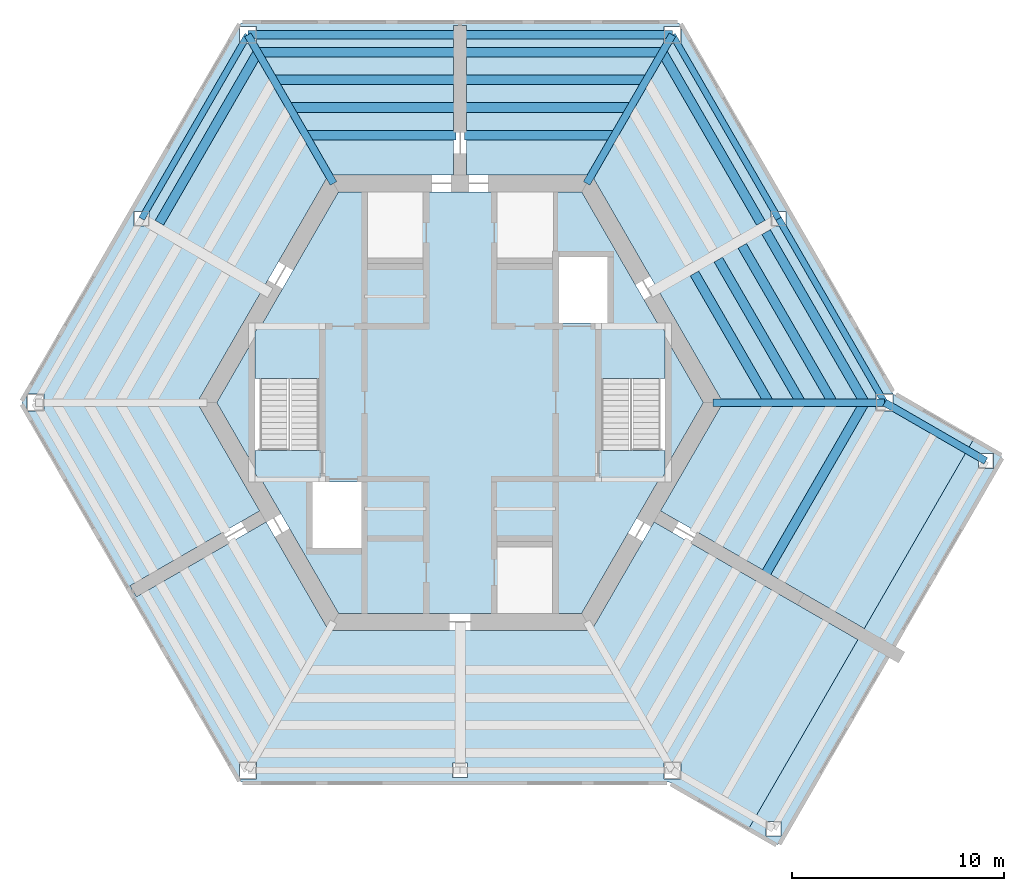
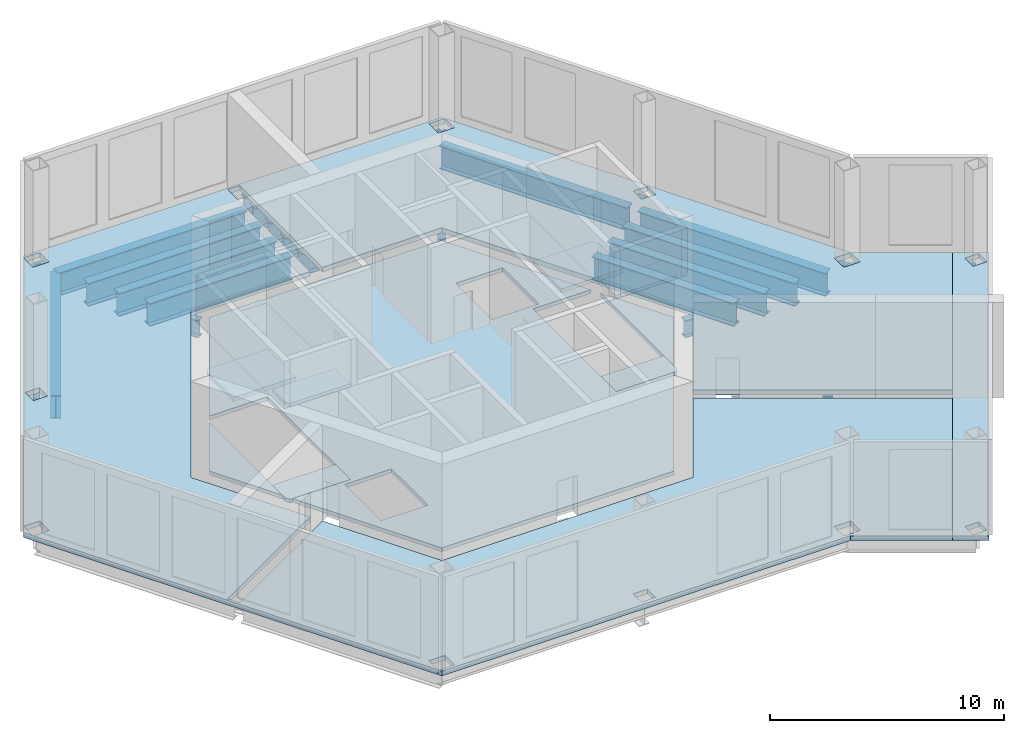
# One storey, part 2 of 8: 24 beams, 11 slabs, 2 elements without a shape of their own.
"""IFC4 building model written with IfcOpenShell, lengths in metres."""

from ifc_helpers import new_model, si_unit, direction, frame, origin, origin_2d, place, context, subcontext, project, spatial, polyline, i_section, outline, extrude, material, layer, layer_set, material_profile, profile_set, type_object, element, aggregate, save


model = new_model("IFC4")

# Units and contexts
model_context = context("Model", 3, precision=1e-05, world=origin(), true_north=direction((0.0, 1.0)))
body_context = subcontext(model_context, "Body", "Model", "MODEL_VIEW")
ifc_project = project(units=[si_unit("LENGTHUNIT", "METRE"), si_unit("AREAUNIT", "SQUARE_METRE"), si_unit("VOLUMEUNIT", "CUBIC_METRE"), si_unit("PLANEANGLEUNIT", "RADIAN"), si_unit("MASSUNIT", "GRAM", prefix="KILO")], contexts=[model_context])

# Site, building, storey
site_placement = place(None, origin())
site = spatial("IfcSite", under=ifc_project, at=site_placement, CompositionType="ELEMENT")
building_placement = place(site_placement, origin())
building = spatial("IfcBuilding", under=site, at=building_placement, Name="Kasaneha Research Tower", CompositionType="ELEMENT")
storey_placement = place(building_placement, frame((0.0, 0.0, 302.5)))
storey = spatial("IfcBuildingStorey", under=building, at=storey_placement, Name="L76", CompositionType="ELEMENT", Elevation=302.5)

# Beams
ifc_material_1 = material(Name="Steel SN490B", Category="steel")
ifc_material_profile_1 = material_profile(ifc_material_1, i_section(OverallWidth=0.449951171875, OverallDepth=1.199951171875, WebThickness=0.02197265625, FlangeThickness=0.0400390625, at=origin_2d()), Name="BH-1200x450x22x40")
ifc_profile_set_1 = profile_set([ifc_material_profile_1], Name="Steel SN490B")
beam_type_1 = type_object("IfcBeamType", Name="B1-5 secondary beam BH-1200x450x22x40", PredefinedType="JOIST", material=ifc_profile_set_1)
beam_1_placement = place(storey_placement, frame((14.54931640625, 0.0, -0.85009765625), z_axis=(-0.500015274395, 0.866016584929, 0.0), x_axis=(-0.866016584929, -0.500015274395, 0.0)))
element("IfcBeam", 1, at=beam_1_placement, inside=storey, type_object=beam_type_1, Name="Secondary beam RS030L1 L76", PredefinedType="JOIST", context=body_context, shape_type="SweptSolid", body=[
    extrude(i_section(OverallWidth=0.449951171875, OverallDepth=1.199951171875, WebThickness=0.02197265625, FlangeThickness=0.0400390625, at=origin_2d()), origin(), (0.0, 0.0, 1.0), 7.024658203125),
])
beam_2_placement = place(storey_placement, frame((16.05029296875, 0.0, -0.85009765625), z_axis=(-0.499992453835, 0.866029760521, 0.0), x_axis=(-0.866029760521, -0.499992453835, 0.0)))
element("IfcBeam", 2, at=beam_2_placement, inside=storey, type_object=beam_type_1, Name="Secondary beam RS030L2 L76", PredefinedType="JOIST", context=body_context, shape_type="SweptSolid", body=[
    extrude(i_section(OverallWidth=0.449951171875, OverallDepth=1.199951171875, WebThickness=0.02197265625, FlangeThickness=0.0400390625, at=origin_2d()), origin(), (0.0, 0.0, 1.0), 7.77490234375),
])
beam_3_placement = place(storey_placement, frame((17.551513671875, 0.0, -0.85009765625), z_axis=(-0.500004205306, 0.866022975836, 0.0), x_axis=(-0.866022975836, -0.500004205306, 0.0)))
element("IfcBeam", 3, at=beam_3_placement, inside=storey, type_object=beam_type_1, Name="Secondary beam RS030L3 L76", PredefinedType="JOIST", context=body_context, shape_type="SweptSolid", body=[
    extrude(i_section(OverallWidth=0.449951171875, OverallDepth=1.199951171875, WebThickness=0.02197265625, FlangeThickness=0.0400390625, at=origin_2d()), origin(), (0.0, 0.0, 1.0), 8.52587890625),
])
beam_4_placement = place(storey_placement, frame((19.052490234375, 0.0, -0.85009765625), z_axis=(-0.500005712346, 0.866022105735, 0.0), x_axis=(-0.866022105735, -0.500005712346, 0.0)))
element("IfcBeam", 4, at=beam_4_placement, inside=storey, type_object=beam_type_1, Name="Secondary beam RS030L4 L76", PredefinedType="JOIST", context=body_context, shape_type="SweptSolid", body=[
    extrude(i_section(OverallWidth=0.449951171875, OverallDepth=1.199951171875, WebThickness=0.02197265625, FlangeThickness=0.0400390625, at=origin_2d()), origin(), (0.0, 0.0, 1.0), 9.2763671875),
])
beam_5_placement = place(storey_placement, frame((9.5263671875, 16.5, -0.85009765625), z_axis=(0.499985972961, -0.866033502147, 0.0), x_axis=(0.866033502147, 0.499985972961, 0.0)))
element("IfcBeam", 5, at=beam_5_placement, inside=storey, type_object=beam_type_1, Name="Secondary beam RS030R4 L76", PredefinedType="JOIST", context=body_context, shape_type="SweptSolid", body=[
    extrude(i_section(OverallWidth=0.449951171875, OverallDepth=1.199951171875, WebThickness=0.02197265625, FlangeThickness=0.0400390625, at=origin_2d()), origin(), (0.0, 0.0, 1.0), 9.276123046875),
])
beam_6_placement = place(storey_placement, frame((7.274658203125, 12.60009765625, -0.85009765625), z_axis=(-1.0, 0.0, 0.0), x_axis=(0.0, -1.0, 0.0)))
element("IfcBeam", 6, at=beam_6_placement, inside=storey, type_object=beam_type_1, Name="Secondary beam RS090L1 L76", PredefinedType="JOIST", context=body_context, shape_type="SweptSolid", body=[
    extrude(i_section(OverallWidth=0.449951171875, OverallDepth=1.199951171875, WebThickness=0.02197265625, FlangeThickness=0.0400390625, at=origin_2d()), origin(), (0.0, 0.0, 1.0), 7.07470703125),
])
beam_7_placement = place(storey_placement, frame((8.025146484375, 13.89990234375, -0.85009765625), z_axis=(-1.0, 0.0, 0.0), x_axis=(0.0, -1.0, 0.0)))
element("IfcBeam", 7, at=beam_7_placement, inside=storey, type_object=beam_type_1, Name="Secondary beam RS090L2 L76", PredefinedType="JOIST", context=body_context, shape_type="SweptSolid", body=[
    extrude(i_section(OverallWidth=0.449951171875, OverallDepth=1.199951171875, WebThickness=0.02197265625, FlangeThickness=0.0400390625, at=origin_2d()), origin(), (0.0, 0.0, 1.0), 7.8251953125),
])
beam_8_placement = place(storey_placement, frame((8.775634765625, 15.199951171875, -0.85009765625), z_axis=(-1.0, 0.0, 0.0), x_axis=(0.0, -1.0, 0.0)))
element("IfcBeam", 8, at=beam_8_placement, inside=storey, type_object=beam_type_1, Name="Secondary beam RS090L3 L76", PredefinedType="JOIST", context=body_context, shape_type="SweptSolid", body=[
    extrude(i_section(OverallWidth=0.449951171875, OverallDepth=1.199951171875, WebThickness=0.02197265625, FlangeThickness=0.0400390625, at=origin_2d()), origin(), (0.0, 0.0, 1.0), 8.57568359375),
])
beam_9_placement = place(storey_placement, frame((9.5263671875, 16.5, -0.85009765625), z_axis=(-1.0, 0.0, 0.0), x_axis=(0.0, -1.0, 0.0)))
element("IfcBeam", 9, at=beam_9_placement, inside=storey, type_object=beam_type_1, Name="Secondary beam RS090L4 L76", PredefinedType="JOIST", context=body_context, shape_type="SweptSolid", body=[
    extrude(i_section(OverallWidth=0.449951171875, OverallDepth=1.199951171875, WebThickness=0.02197265625, FlangeThickness=0.0400390625, at=origin_2d()), origin(), (0.0, 0.0, 1.0), 9.326416015625),
])
beam_10_placement = place(storey_placement, frame((-7.274658203125, 12.60009765625, -0.85009765625), z_axis=(1.0, 0.0, 0.0), x_axis=(0.0, 1.0, 0.0)))
element("IfcBeam", 10, at=beam_10_placement, inside=storey, type_object=beam_type_1, Name="Secondary beam RS090R1 L76", PredefinedType="JOIST", context=body_context, shape_type="SweptSolid", body=[
    extrude(i_section(OverallWidth=0.449951171875, OverallDepth=1.199951171875, WebThickness=0.02197265625, FlangeThickness=0.0400390625, at=origin_2d()), origin(), (0.0, 0.0, 1.0), 7.07470703125),
])
beam_11_placement = place(storey_placement, frame((-8.025146484375, 13.89990234375, -0.85009765625), z_axis=(1.0, 0.0, 0.0), x_axis=(0.0, 1.0, 0.0)))
element("IfcBeam", 11, at=beam_11_placement, inside=storey, type_object=beam_type_1, Name="Secondary beam RS090R2 L76", PredefinedType="JOIST", context=body_context, shape_type="SweptSolid", body=[
    extrude(i_section(OverallWidth=0.449951171875, OverallDepth=1.199951171875, WebThickness=0.02197265625, FlangeThickness=0.0400390625, at=origin_2d()), origin(), (0.0, 0.0, 1.0), 7.8251953125),
])
beam_12_placement = place(storey_placement, frame((-8.775634765625, 15.199951171875, -0.85009765625), z_axis=(1.0, 0.0, 0.0), x_axis=(0.0, 1.0, 0.0)))
element("IfcBeam", 12, at=beam_12_placement, inside=storey, type_object=beam_type_1, Name="Secondary beam RS090R3 L76", PredefinedType="JOIST", context=body_context, shape_type="SweptSolid", body=[
    extrude(i_section(OverallWidth=0.449951171875, OverallDepth=1.199951171875, WebThickness=0.02197265625, FlangeThickness=0.0400390625, at=origin_2d()), origin(), (0.0, 0.0, 1.0), 8.57568359375),
])
beam_13_placement = place(storey_placement, frame((-9.5263671875, 16.5, -0.85009765625), z_axis=(1.0, 0.0, 0.0), x_axis=(0.0, 1.0, 0.0)))
element("IfcBeam", 13, at=beam_13_placement, inside=storey, type_object=beam_type_1, Name="Secondary beam RS090R4 L76", PredefinedType="JOIST", context=body_context, shape_type="SweptSolid", body=[
    extrude(i_section(OverallWidth=0.449951171875, OverallDepth=1.199951171875, WebThickness=0.02197265625, FlangeThickness=0.0400390625, at=origin_2d()), origin(), (0.0, 0.0, 1.0), 9.326416015625),
])
beam_14_placement = place(storey_placement, frame((-9.5263671875, 16.5, -0.85009765625), z_axis=(-0.499985972961, -0.866033502147, 0.0), x_axis=(0.866033502147, -0.499985972961, 0.0)))
element("IfcBeam", 14, at=beam_14_placement, inside=storey, type_object=beam_type_1, Name="Secondary beam RS150L4 L76", PredefinedType="JOIST", context=body_context, shape_type="SweptSolid", body=[
    extrude(i_section(OverallWidth=0.449951171875, OverallDepth=1.199951171875, WebThickness=0.02197265625, FlangeThickness=0.0400390625, at=origin_2d()), origin(), (0.0, 0.0, 1.0), 9.276123046875),
])
beam_15_placement = place(storey_placement, frame((19.052490234375, 0.0, -0.85009765625), z_axis=(-0.499990596569, -0.86603083279, 0.0), x_axis=(0.86603083279, -0.499990596569, 0.0)))
element("IfcBeam", 15, at=beam_15_placement, inside=storey, type_object=beam_type_1, Name="Secondary beam RS330R4 L76", PredefinedType="JOIST", context=body_context, shape_type="SweptSolid", body=[
    extrude(i_section(OverallWidth=0.449951171875, OverallDepth=1.199951171875, WebThickness=0.02197265625, FlangeThickness=0.0400390625, at=origin_2d()), origin(), (0.0, 0.0, 1.0), 9.326416015625),
])
ifc_material_2 = material(Name="Steel SN490B", Category="steel")
ifc_material_profile_2 = material_profile(ifc_material_2, i_section(OverallWidth=0.35009765625, OverallDepth=0.89990234375, WebThickness=0.01611328125, FlangeThickness=0.031982421875, at=origin_2d()), Name="BH-900x350x16x32")
ifc_profile_set_2 = profile_set([ifc_material_profile_2], Name="Steel SN490B")
beam_type_2 = type_object("IfcBeamType", Name="G1-5 radial girder BH-900x350x16x32", PredefinedType="BEAM", material=ifc_profile_set_2)
beam_16_placement = place(storey_placement, frame((11.92236328125, 0.0, -0.699951171875), z_axis=(1.0, 0.0, 0.0), x_axis=(0.0, 1.0, 0.0)))
element("IfcBeam", 16, at=beam_16_placement, inside=storey, type_object=beam_type_2, Name="Radial girder RV000 L76", PredefinedType="BEAM", context=body_context, shape_type="SweptSolid", body=[
    extrude(i_section(OverallWidth=0.35009765625, OverallDepth=0.89990234375, WebThickness=0.01611328125, FlangeThickness=0.031982421875, at=origin_2d()), origin(), (0.0, 0.0, 1.0), 8.07763671875),
])
for number, where, z_axis, x_axis, name in (
    (17, (5.961181640625, 10.324951171875, -0.699951171875), (0.49999105496, 0.866030568144, 0.0), (-0.866030568144, 0.49999105496, 0.0), "Radial girder RV060 L76"),
    (18, (-5.961181640625, 10.324951171875, -0.699951171875), (-0.49999105496, 0.866030568144, 0.0), (-0.866030568144, -0.49999105496, 0.0), "Radial girder RV120 L76"),
):
    element("IfcBeam", number, at=place(storey_placement, frame(where, z_axis=z_axis, x_axis=x_axis)), inside=storey, type_object=beam_type_2, Name=name, PredefinedType="BEAM", context=body_context, shape_type="SweptSolid", body=[
        extrude(i_section(OverallWidth=0.35009765625, OverallDepth=0.89990234375, WebThickness=0.01611328125, FlangeThickness=0.031982421875, at=origin_2d()), origin(), (0.0, 0.0, 1.0), 8.077880859375),
    ])
ifc_material_3 = material(Name="Steel SN490B", Category="steel")
ifc_material_profile_3 = material_profile(ifc_material_3, i_section(OverallWidth=0.39990234375, OverallDepth=1.0, WebThickness=0.01904296875, FlangeThickness=0.035888671875, at=origin_2d()), Name="BH-1000x400x19x36")
ifc_profile_set_3 = profile_set([ifc_material_profile_3], Name="Steel SN490B")
beam_type_3 = type_object("IfcBeamType", Name="G3-5 plate edge girder BH-1000x400x19x36", PredefinedType="BEAM", material=ifc_profile_set_3)
for number, where, z_axis, x_axis, name in (
    (19, (10.0, 17.320556640625, -0.75), (-1.0, 0.0, 0.0), (0.0, -1.0, 0.0), "Plate edge girder PEAP L76"),
    (20, (-10.0, 17.320556640625, -0.75), (1.0, 0.0, 0.0), (0.0, 1.0, 0.0), "Plate edge girder PEAN L76"),
):
    element("IfcBeam", number, at=place(storey_placement, frame(where, z_axis=z_axis, x_axis=x_axis)), inside=storey, type_object=beam_type_3, Name=name, PredefinedType="BEAM", context=body_context, shape_type="SweptSolid", body=[
        extrude(i_section(OverallWidth=0.39990234375, OverallDepth=1.0, WebThickness=0.01904296875, FlangeThickness=0.035888671875, at=origin_2d()), origin(), (0.0, 0.0, 1.0), 9.800048828125),
    ])
ifc_material_4 = material(Name="Steel SN490B", Category="steel")
ifc_material_profile_4 = material_profile(ifc_material_4, i_section(OverallWidth=0.300048828125, OverallDepth=0.800048828125, WebThickness=0.013916015625, FlangeThickness=0.02587890625, FilletRadius=0.01806640625, at=origin_2d()), Name="H-800x300x14x26")
ifc_profile_set_4 = profile_set([ifc_material_profile_4], Name="Steel SN490B")
beam_type_4 = type_object("IfcBeamType", Name="SB1-5 spandrel beam H-800x300x14x26", PredefinedType="SPANDREL", material=ifc_profile_set_4)
beam_17_placement = place(storey_placement, frame((20.0, 0.0, -0.64990234375), z_axis=(-0.500004234368, 0.866022959057, 0.0), x_axis=(-0.866022959057, -0.500004234368, 0.0)))
element("IfcBeam", 21, at=beam_17_placement, inside=storey, type_object=beam_type_4, Name="Spandrel beam SR030L L76", PredefinedType="SPANDREL", context=body_context, shape_type="SweptSolid", body=[
    extrude(i_section(OverallWidth=0.300048828125, OverallDepth=0.800048828125, WebThickness=0.013916015625, FlangeThickness=0.02587890625, FilletRadius=0.01806640625, at=origin_2d()), origin(), (0.0, 0.0, 1.0), 10.0),
])
for number, where, z_axis, x_axis, name in (
    (22, (10.0, 17.320556640625, -0.64990234375), (0.499993662806, -0.866029062534, 0.0), (0.866029062534, 0.499993662806, 0.0), "Spandrel beam SR030R L76"),
    (23, (-10.0, 17.320556640625, -0.64990234375), (-0.499993662806, -0.866029062534, 0.0), (0.866029062534, -0.499993662806, 0.0), "Spandrel beam SR150L L76"),
):
    element("IfcBeam", number, at=place(storey_placement, frame(where, z_axis=z_axis, x_axis=x_axis)), inside=storey, type_object=beam_type_4, Name=name, PredefinedType="SPANDREL", context=body_context, shape_type="SweptSolid", body=[
        extrude(i_section(OverallWidth=0.300048828125, OverallDepth=0.800048828125, WebThickness=0.013916015625, FlangeThickness=0.02587890625, FilletRadius=0.01806640625, at=origin_2d()), origin(), (0.0, 0.0, 1.0), 10.000244140625),
    ])
ifc_material_5 = material(Name="Steel SN490B", Category="steel")
ifc_material_profile_5 = material_profile(ifc_material_5, i_section(OverallWidth=0.35009765625, OverallDepth=0.89990234375, WebThickness=0.01611328125, FlangeThickness=0.031982421875, at=origin_2d()), Name="BH-900x350x16x32")
ifc_profile_set_5 = profile_set([ifc_material_profile_5], Name="Steel SN490B")
beam_type_5 = type_object("IfcBeamType", Name="SB2-5 spandrel beam BH-900x350x16x32", PredefinedType="SPANDREL", material=ifc_profile_set_5)
beam_18_placement = place(storey_placement, frame((20.0, 0.0, -0.699951171875), z_axis=(0.866027397988, -0.499996545922, 0.0), x_axis=(0.499996545922, 0.866027397988, 0.0)))
element("IfcBeam", 24, at=beam_18_placement, inside=storey, type_object=beam_type_5, Name="Spandrel beam WSCN1 L76", PredefinedType="SPANDREL", context=body_context, shape_type="SweptSolid", body=[
    extrude(i_section(OverallWidth=0.35009765625, OverallDepth=0.89990234375, WebThickness=0.01611328125, FlangeThickness=0.031982421875, at=origin_2d()), origin(), (0.0, 0.0, 1.0), 5.5),
])

# Slabs
ifc_material_6 = material(Name="Concrete Fc24", Category="concrete")
ifc_layer_1 = layer(ifc_material_6, 0.199951171875)
ifc_layer_set_1 = layer_set([ifc_layer_1], Name="Core floor slab 200")
slab_type_1 = type_object("IfcSlabType", Name="Core floor slab 200", PredefinedType="FLOOR", material=ifc_layer_set_1)
slab_1_placement = place(storey_placement, frame((0.0, 0.0, -0.199951171875)))
element("IfcSlab", 25, at=slab_1_placement, inside=storey, type_object=slab_type_1, Name="Core slab L76", PredefinedType="FLOOR", context=body_context, shape_type="SweptSolid", body=[
    extrude(outline(polyline([(-11.46044921875, 0.0), (-9.64990234375, 3.1357421875), (-9.64990234375, -3.1357421875), (-11.46044921875, 0.0)])), origin(), (0.0, 0.0, 1.0), 0.199951171875),
])
slab_2_placement = place(storey_placement, frame((0.0, 0.0, -0.199951171875)))
element("IfcSlab", 26, at=slab_2_placement, inside=storey, type_object=slab_type_1, Name="Core slab L76", PredefinedType="FLOOR", context=body_context, shape_type="SweptSolid", body=[
    extrude(outline(polyline([(-5.730224609375, 9.925048828125), (5.730224609375, 9.925048828125), (9.410888671875, 3.550048828125), (6.550048828125, 3.550048828125), (6.550048828125, -3.550048828125), (9.410888671875, -3.550048828125), (5.730224609375, -9.925048828125), (-5.730224609375, -9.925048828125), (-9.410888671875, -3.550048828125), (-6.550048828125, -3.550048828125), (-6.550048828125, 3.550048828125), (-9.410888671875, 3.550048828125), (-5.730224609375, 9.925048828125)]), holes=[polyline([(-6.949951171875, -6.85009765625), (-4.64990234375, -6.85009765625), (-4.64990234375, -3.75), (-6.949951171875, -3.75), (-6.949951171875, -6.85009765625)]), polyline([(4.64990234375, 3.75), (6.949951171875, 3.75), (6.949951171875, 6.85009765625), (4.64990234375, 6.85009765625), (4.64990234375, 3.75)])]), origin(), (0.0, 0.0, 1.0), 0.199951171875),
])
slab_3_placement = place(storey_placement, frame((0.0, 0.0, -0.199951171875)))
element("IfcSlab", 27, at=slab_3_placement, inside=storey, type_object=slab_type_1, Name="Core slab L76", PredefinedType="FLOOR", context=body_context, shape_type="SweptSolid", body=[
    extrude(outline(polyline([(11.46044921875, 0.0), (9.64990234375, -3.1357421875), (9.64990234375, 3.1357421875), (11.46044921875, 0.0)])), origin(), (0.0, 0.0, 1.0), 0.199951171875),
])
ifc_material_7 = material(Name="Concrete Fc24", Category="concrete")
ifc_layer_2 = layer(ifc_material_7, 0.25)
ifc_layer_set_2 = layer_set([ifc_layer_2], Name="Floor slab 250")
slab_type_2 = type_object("IfcSlabType", Name="Floor slab 250", PredefinedType="FLOOR", material=ifc_layer_set_2)
slab_4_placement = place(storey_placement, frame((0.0, 0.0, -0.25)))
element("IfcSlab", 28, at=slab_4_placement, inside=storey, type_object=slab_type_2, Name="Floor slab L76 1", PredefinedType="FLOOR", context=body_context, shape_type="SweptSolid", body=[
    extrude(outline(polyline([(-10.317626953125, -17.87060546875), (-10.3974609375, -17.732177734375), (-10.385986328125, -17.720703125), (-9.599853515625, -17.720703125), (-9.599853515625, -16.92041015625), (-10.400146484375, -16.92041015625), (-10.400146484375, -17.70654296875), (-10.40771484375, -17.714111328125), (-20.635009765625, 0.0), (-20.40771484375, 0.3935546875), (-20.400146484375, 0.385986328125), (-20.400146484375, -0.400146484375), (-19.599853515625, -0.400146484375), (-19.599853515625, 0.400146484375), (-20.385986328125, 0.400146484375), (-20.3974609375, 0.41162109375), (-10.40771484375, 17.714111328125), (-10.400146484375, 17.70654296875), (-10.400146484375, 16.92041015625), (-9.599853515625, 16.92041015625), (-9.599853515625, 17.720703125), (-10.385986328125, 17.720703125), (-10.3974609375, 17.732177734375), (-10.317626953125, 17.87060546875), (10.317626953125, 17.87060546875), (10.3974609375, 17.732177734375), (10.385986328125, 17.720703125), (9.599853515625, 17.720703125), (9.599853515625, 16.92041015625), (10.400146484375, 16.92041015625), (10.400146484375, 17.70654296875), (10.40771484375, 17.714111328125), (20.3974609375, 0.41162109375), (20.385986328125, 0.400146484375), (19.599853515625, 0.400146484375), (19.599853515625, -0.400146484375), (20.400146484375, -0.400146484375), (20.400146484375, 0.385986328125), (20.41162109375, 0.3974609375), (24.163330078125, -1.768798828125), (19.038330078125, -10.6455078125), (9.438232421875, -5.102783203125), (12.38427734375, 0.0), (6.192138671875, 10.72509765625), (0.300048828125, 10.72509765625), (0.300048828125, 17.7705078125), (-0.300048828125, 17.7705078125), (-0.300048828125, 10.72509765625), (-6.192138671875, 10.72509765625), (-12.38427734375, 0.0), (-9.438232421875, -5.102783203125), (-15.539794921875, -8.62548828125), (-15.23974609375, -9.14501953125), (-9.13818359375, -5.622314453125), (-6.192138671875, -10.72509765625), (6.192138671875, -10.72509765625), (9.13818359375, -5.622314453125), (18.738525390625, -11.1650390625), (13.613525390625, -20.041748046875), (9.8525390625, -17.87060546875), (-10.317626953125, -17.87060546875)]), holes=[polyline([(0.35009765625, -17.67041015625), (0.35009765625, -16.970458984375), (-0.35009765625, -16.970458984375), (-0.35009765625, -17.67041015625), (0.35009765625, -17.67041015625)]), polyline([(-15.35009765625, 8.310302734375), (-14.64990234375, 8.310302734375), (-14.64990234375, 9.01025390625), (-15.35009765625, 9.01025390625), (-15.35009765625, 8.310302734375)]), polyline([(9.60009765625, -17.720458984375), (10.39990234375, -17.720458984375), (10.39990234375, -16.92041015625), (9.60009765625, -16.92041015625), (9.60009765625, -17.720458984375)]), polyline([(14.64990234375, 8.310302734375), (15.35009765625, 8.310302734375), (15.35009765625, 9.01025390625), (14.64990234375, 9.01025390625), (14.64990234375, 8.310302734375)])]), origin(), (0.0, 0.0, 1.0), 0.25),
])
slab_5_placement = place(storey_placement, frame((0.0, 0.0, -0.25)))
element("IfcSlab", 29, at=slab_5_placement, inside=storey, type_object=slab_type_2, Name="Floor slab L76 2", PredefinedType="FLOOR", context=body_context, shape_type="SweptSolid", body=[
    extrude(outline(polyline([(25.514404296875, -2.548583984375), (14.96435546875, -20.82177734375), (13.613525390625, -20.041748046875), (18.738525390625, -11.1650390625), (18.7470703125, -11.170166015625), (19.047119140625, -10.650390625), (19.038330078125, -10.6455078125), (24.163330078125, -1.768798828125), (25.514404296875, -2.548583984375)]), holes=[polyline([(14.4130859375, -20.42041015625), (15.113037109375, -20.42041015625), (15.113037109375, -19.720458984375), (14.4130859375, -19.720458984375), (14.4130859375, -20.42041015625)]), polyline([(24.4130859375, -3.10009765625), (25.113037109375, -3.10009765625), (25.113037109375, -2.39990234375), (24.4130859375, -2.39990234375), (24.4130859375, -3.10009765625)])]), origin(), (0.0, 0.0, 1.0), 0.25),
])

# Stair, slabs
ifc_material_8 = material(Name="Concrete Fc24", Category="concrete")
stair_type = type_object("IfcStairType", Name="Half-turn stair 28 risers", PredefinedType="HALF_TURN_STAIR", material=ifc_material_8)
stair_1_placement = place(storey_placement, origin())
stair_1 = element("IfcStair", 30, at=stair_1_placement, inside=storey, type_object=stair_type, Name="Stair 1 L76", PredefinedType="HALF_TURN_STAIR")
ifc_material_9 = material(Name="Concrete Fc24", Category="concrete")
ifc_layer_3 = layer(ifc_material_9, 0.199951171875)
ifc_layer_set_3 = layer_set([ifc_layer_3], Name="Stair 1 landing 200")
slab_type_3 = type_object("IfcSlabType", Name="Stair 1 landing 200", PredefinedType="LANDING", material=ifc_layer_set_3)
slab_6_placement = place(storey_placement, frame((0.0, 0.0, -0.199951171875)))
slab_6 = element("IfcSlab", 31, at=slab_6_placement, type_object=slab_type_3, Name="ST1-28R landing 1", PredefinedType="LANDING", context=body_context, shape_type="SweptSolid", body=[
    extrude(outline(polyline([(9.5263671875, -3.550048828125), (6.550048828125, -3.550048828125), (6.550048828125, -2.25), (9.64990234375, -2.25), (9.64990234375, -3.335693359375), (9.5263671875, -3.550048828125)])), origin(), (0.0, 0.0, 1.0), 0.199951171875),
])
slab_7_placement = place(storey_placement, frame((0.0, 0.0, 2.300048828125)))
slab_7 = element("IfcSlab", 32, at=slab_7_placement, type_object=slab_type_3, Name="ST1-28R landing 2", PredefinedType="LANDING", context=body_context, shape_type="SweptSolid", body=[
    extrude(outline(polyline([(6.550048828125, 3.550048828125), (9.5263671875, 3.550048828125), (9.64990234375, 3.335693359375), (9.64990234375, 1.1298828125), (6.550048828125, 1.1298828125), (6.550048828125, 3.550048828125)])), origin(), (0.0, 0.0, 1.0), 0.199951171875),
])
slab_8_placement = place(storey_placement, frame((0.0, 0.0, 4.800048828125)))
slab_8 = element("IfcSlab", 33, at=slab_8_placement, type_object=slab_type_3, Name="ST1-28R landing 3", PredefinedType="LANDING", context=body_context, shape_type="SweptSolid", body=[
    extrude(outline(polyline([(9.5263671875, -3.550048828125), (6.550048828125, -3.550048828125), (6.550048828125, -2.25), (9.64990234375, -2.25), (9.64990234375, -3.335693359375), (9.5263671875, -3.550048828125)])), origin(), (0.0, 0.0, 1.0), 0.199951171875),
])
aggregate(stair_1, [slab_6, slab_7, slab_8])

stair_2_placement = place(storey_placement, origin())
stair_2 = element("IfcStair", 34, at=stair_2_placement, inside=storey, type_object=stair_type, Name="Stair 2 L76", PredefinedType="HALF_TURN_STAIR")
ifc_material_10 = material(Name="Concrete Fc24", Category="concrete")
ifc_layer_4 = layer(ifc_material_10, 0.199951171875)
ifc_layer_set_4 = layer_set([ifc_layer_4], Name="Stair 2 landing 200")
slab_type_4 = type_object("IfcSlabType", Name="Stair 2 landing 200", PredefinedType="LANDING", material=ifc_layer_set_4)
slab_9_placement = place(storey_placement, frame((0.0, 0.0, -0.199951171875)))
slab_9 = element("IfcSlab", 35, at=slab_9_placement, type_object=slab_type_4, Name="ST2-28R landing 1", PredefinedType="LANDING", context=body_context, shape_type="SweptSolid", body=[
    extrude(outline(polyline([(-6.550048828125, -3.550048828125), (-9.5263671875, -3.550048828125), (-9.64990234375, -3.335693359375), (-9.64990234375, -2.25), (-6.550048828125, -2.25), (-6.550048828125, -3.550048828125)])), origin(), (0.0, 0.0, 1.0), 0.199951171875),
])
slab_10_placement = place(storey_placement, frame((0.0, 0.0, 2.300048828125)))
slab_10 = element("IfcSlab", 36, at=slab_10_placement, type_object=slab_type_4, Name="ST2-28R landing 2", PredefinedType="LANDING", context=body_context, shape_type="SweptSolid", body=[
    extrude(outline(polyline([(-6.550048828125, 1.1298828125), (-9.64990234375, 1.1298828125), (-9.64990234375, 3.335693359375), (-9.5263671875, 3.550048828125), (-6.550048828125, 3.550048828125), (-6.550048828125, 1.1298828125)])), origin(), (0.0, 0.0, 1.0), 0.199951171875),
])
slab_11_placement = place(storey_placement, frame((0.0, 0.0, 4.800048828125)))
slab_11 = element("IfcSlab", 37, at=slab_11_placement, type_object=slab_type_4, Name="ST2-28R landing 3", PredefinedType="LANDING", context=body_context, shape_type="SweptSolid", body=[
    extrude(outline(polyline([(-6.550048828125, -3.550048828125), (-9.5263671875, -3.550048828125), (-9.64990234375, -3.335693359375), (-9.64990234375, -2.25), (-6.550048828125, -2.25), (-6.550048828125, -3.550048828125)])), origin(), (0.0, 0.0, 1.0), 0.199951171875),
])
aggregate(stair_2, [slab_9, slab_10, slab_11])

save(model, "model.ifc")
